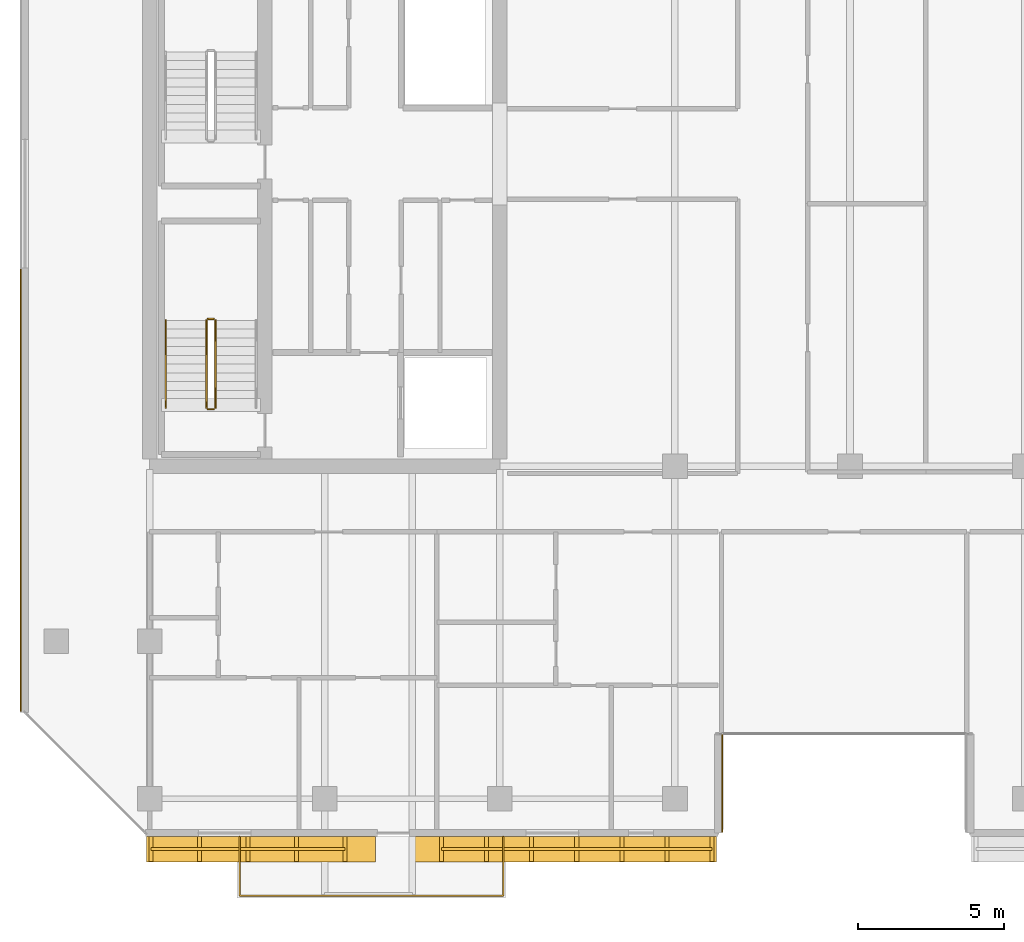
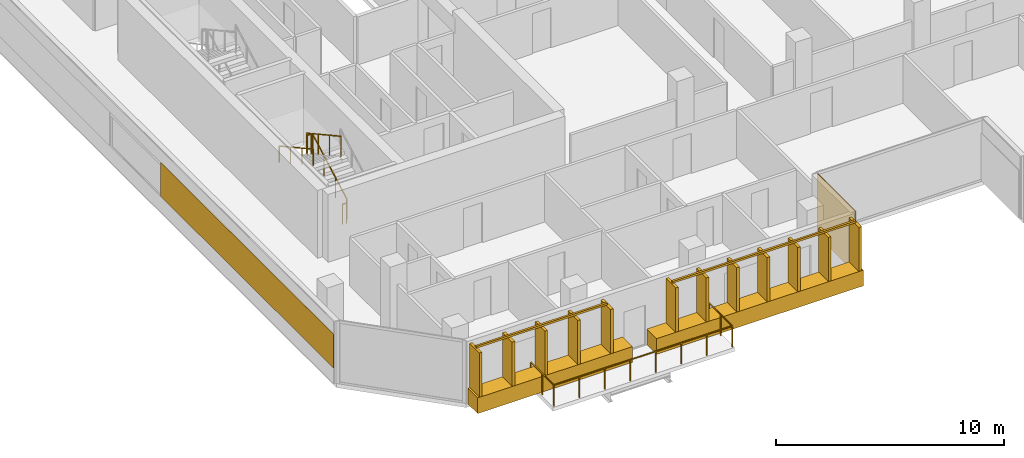
# One storey, part 27 of 31: 8 railings, 4 coverings.
"""IFC4 building model written with IfcOpenShell, lengths in metres."""

from ifc_helpers import new_model, si_unit, direction, frame, origin, origin_2d, place, context, subcontext, project, spatial, rectangle, extrude, material, layer, layer_set, type_object, element, save


model = new_model("IFC4")

# Units and contexts
model_context = context("Model", 3, precision=1e-05, world=origin(), true_north=direction((0.0, 1.0)))
body_context = subcontext(model_context, "Body", "Model", "MODEL_VIEW")
ifc_project = project(units=[si_unit("LENGTHUNIT", "METRE"), si_unit("AREAUNIT", "SQUARE_METRE"), si_unit("VOLUMEUNIT", "CUBIC_METRE"), si_unit("PLANEANGLEUNIT", "RADIAN"), si_unit("MASSUNIT", "GRAM", prefix="KILO")], contexts=[model_context])

# Site, building, storey
site_placement = place(None, origin())
site = spatial("IfcSite", under=ifc_project, at=site_placement, CompositionType="ELEMENT")
building_placement = place(site_placement, origin())
building = spatial("IfcBuilding", under=site, at=building_placement, Name="Tanjung Sevakor Pilgrim Tower", CompositionType="ELEMENT")
storey_placement = place(building_placement, frame((0.0, 0.0, 169.2900390625)))
storey = spatial("IfcBuildingStorey", under=building, at=storey_placement, Name="L47", CompositionType="ELEMENT", Elevation=169.2900390625)

# Coverings
ifc_material_1 = material(Name="Reconstructed Limestone Cladding", Category="masonry")
ifc_layer = layer(ifc_material_1, 0.044921875)
ifc_layer_set = layer_set([ifc_layer], Name="COV-CLAD-LIMESTONE")
covering_type = type_object("IfcCoveringType", Name="COV-CLAD-LIMESTONE", PredefinedType="CLADDING", material=ifc_layer_set)
covering_1_placement = place(storey_placement, frame((27.81591796875, 11.469970703125, 0.009765625), z_axis=(0.0, 0.0, 1.0), x_axis=(1.0, 0.0, 0.0)))
element("IfcCovering", 1, at=covering_1_placement, inside=storey, type_object=covering_type, Name="L47 Warm Limestone Sill Spandrel EW-L47-MAIN-1-1", PredefinedType="CLADDING", context=body_context, shape_type="SweptSolid", body=[
    extrude(rectangle(XDim=7.84814453125, YDim=0.860107421875, at=origin_2d()), origin(), (0.0, 0.0, 1.0), 0.840087890625),
])
covering_2_placement = place(storey_placement, frame((38.197509765625, 11.469970703125, 0.009765625), z_axis=(0.0, 0.0, 1.0), x_axis=(1.0, 0.0, 0.0)))
element("IfcCovering", 2, at=covering_2_placement, inside=storey, type_object=covering_type, Name="L47 Warm Limestone Sill Spandrel EW-L47-MAIN-1-2", PredefinedType="CLADDING", context=body_context, shape_type="SweptSolid", body=[
    extrude(rectangle(XDim=10.47509765625, YDim=0.860107421875, at=origin_2d()), origin(), (0.0, 0.0, 1.0), 0.840087890625),
])
covering_3_placement = place(storey_placement, frame((43.62255859375, 13.72509765625, 0.02001953125), z_axis=(0.0, 0.0, 1.0), x_axis=(0.0, 1.0, 0.0)))
element("IfcCovering", 3, at=covering_3_placement, inside=storey, type_object=covering_type, Name="L47 Warm Limestone Wall Cladding EW-L47-MAIN-2", PredefinedType="CLADDING", context=body_context, shape_type="SweptSolid", body=[
    extrude(rectangle(XDim=3.360107421875, YDim=0.044921875, at=origin_2d()), origin(), (0.0, 0.0, 1.0), 3.31005859375),
])
covering_4_placement = place(storey_placement, frame((19.577392578125, 23.77099609375, 0.849853515625), z_axis=(0.0, 0.0, 1.0), x_axis=(0.0, -1.0, 0.0)))
element("IfcCovering", 4, at=covering_4_placement, inside=storey, type_object=covering_type, Name="L47 Warm Limestone Pier Panel EW-L47-MAIN-15-2", PredefinedType="CLADDING", context=body_context, shape_type="SweptSolid", body=[
    extrude(rectangle(XDim=15.158203125, YDim=0.044921875, at=origin_2d()), origin(), (0.0, 0.0, 1.0), 1.81005859375),
])

# Railings
ifc_material_2 = material(Name="Laminated Glass and Aluminium", Category="aluminium")
railing_type_1 = type_object("IfcRailingType", Name="RL-BAL-BALUST", PredefinedType="BALUSTRADE", material=ifc_material_2)
railing_1_placement = place(storey_placement, frame((27.080078125, 11.89990234375, 0.0)))
element("IfcRailing", 5, at=railing_1_placement, inside=storey, type_object=railing_type_1, Name="L47 Loggia Balustrade MAIN-S1", PredefinedType="BALUSTRADE", context=body_context, shape_type="SweptSolid", body=[
    extrude(rectangle(XDim=0.0479, YDim=0.0479), frame((0.0, 0.0, 1.1259765625), z_axis=(0.0, -1.0, 0.0), x_axis=(1.0, 0.0, 0.0)), (0.0, 0.0, 1.0), 2.02001953125),
    extrude(rectangle(XDim=0.0479, YDim=0.0479), frame((0.0, -2.02001953125, 1.1259765625), z_axis=(1.0, 0.0, 0.0), x_axis=(0.0, 1.0, 0.0)), (0.0, 0.0, 1.0), 9.0400390625),
    extrude(rectangle(XDim=0.0479, YDim=0.0479), frame((9.0400390625, -2.02001953125, 1.1259765625), z_axis=(0.0, 1.0, 0.0), x_axis=(-1.0, 0.0, 0.0)), (0.0, 0.0, 1.0), 2.02001953125),
    extrude(rectangle(XDim=0.042, YDim=0.042), origin(), (0.0, 0.0, 1.0), 1.101806640625),
    extrude(rectangle(XDim=0.042, YDim=0.042), frame((0.0, -1.010009765625, 0.0)), (0.0, 0.0, 1.0), 1.101806640625),
    extrude(rectangle(XDim=0.042, YDim=0.042), frame((0.0, -2.02001953125, 0.0)), (0.0, 0.0, 1.0), 1.101806640625),
    extrude(rectangle(XDim=0.042, YDim=0.042), frame((1.29150390625, -2.02001953125, 0.0)), (0.0, 0.0, 1.0), 1.101806640625),
    extrude(rectangle(XDim=0.042, YDim=0.042), frame((2.582763671875, -2.02001953125, 0.0)), (0.0, 0.0, 1.0), 1.101806640625),
    extrude(rectangle(XDim=0.042, YDim=0.042), frame((3.874267578125, -2.02001953125, 0.0)), (0.0, 0.0, 1.0), 1.101806640625),
    extrude(rectangle(XDim=0.042, YDim=0.042), frame((5.165771484375, -2.02001953125, 0.0)), (0.0, 0.0, 1.0), 1.101806640625),
    extrude(rectangle(XDim=0.042, YDim=0.042), frame((6.457275390625, -2.02001953125, 0.0)), (0.0, 0.0, 1.0), 1.101806640625),
    extrude(rectangle(XDim=0.042, YDim=0.042), frame((7.74853515625, -2.02001953125, 0.0)), (0.0, 0.0, 1.0), 1.101806640625),
    extrude(rectangle(XDim=0.042, YDim=0.042), frame((9.0400390625, -2.02001953125, 0.0)), (0.0, 0.0, 1.0), 1.101806640625),
    extrude(rectangle(XDim=0.042, YDim=0.042), frame((9.0400390625, -1.010009765625, 0.0)), (0.0, 0.0, 1.0), 1.101806640625),
    extrude(rectangle(XDim=0.042, YDim=0.042), frame((9.0400390625, 0.0, 0.0)), (0.0, 0.0, 1.0), 1.101806640625),
])
ifc_material_3 = material(Name="Anodised Bronze Aluminium 6063-T6", Category="aluminium")
railing_type_2 = type_object("IfcRailingType", Name="RL-FIN-SCREEN", PredefinedType="BALUSTRADE", material=ifc_material_3)
railing_2_placement = place(storey_placement, frame((24.0517578125, 11.47509765625, 0.83984375)))
element("IfcRailing", 6, at=railing_2_placement, inside=storey, type_object=railing_type_2, Name="L47 Vertical Bronze-Gold Solar Fin Screen FNSCR-EW-L47-MAIN-1-1", PredefinedType="BALUSTRADE", context=body_context, shape_type="SweptSolid", body=[
    extrude(rectangle(XDim=0.105, YDim=0.105), frame((0.0, 0.0, 2.427490234375), z_axis=(1.0, 0.0, 0.0), x_axis=(0.0, 1.0, 0.0)), (0.0, 0.0, 1.0), 6.648193359375),
    extrude(rectangle(XDim=0.14, YDim=0.85), origin(), (0.0, 0.0, 1.0), 2.375),
    extrude(rectangle(XDim=0.14, YDim=0.85), frame((1.662109375, 0.0, 0.0)), (0.0, 0.0, 1.0), 2.375),
    extrude(rectangle(XDim=0.14, YDim=0.85), frame((3.32421875, 0.0, 0.0)), (0.0, 0.0, 1.0), 2.375),
    extrude(rectangle(XDim=0.14, YDim=0.85), frame((4.986083984375, 0.0, 0.0)), (0.0, 0.0, 1.0), 2.375),
    extrude(rectangle(XDim=0.14, YDim=0.85), frame((6.648193359375, 0.0, 0.0)), (0.0, 0.0, 1.0), 2.375),
])
railing_3_placement = place(storey_placement, frame((34.0, 11.47509765625, 0.83984375)))
element("IfcRailing", 7, at=railing_3_placement, inside=storey, type_object=railing_type_2, Name="L47 Vertical Bronze-Gold Solar Fin Screen FNSCR-EW-L47-MAIN-1-2", PredefinedType="BALUSTRADE", context=body_context, shape_type="SweptSolid", body=[
    extrude(rectangle(XDim=0.105, YDim=0.105), frame((0.0, 0.0, 2.427490234375), z_axis=(1.0, 0.0, 0.0), x_axis=(0.0, 1.0, 0.0)), (0.0, 0.0, 1.0), 9.27490234375),
    extrude(rectangle(XDim=0.14, YDim=0.85), origin(), (0.0, 0.0, 1.0), 2.375),
    extrude(rectangle(XDim=0.14, YDim=0.85), frame((1.5458984375, 0.0, 0.0)), (0.0, 0.0, 1.0), 2.375),
    extrude(rectangle(XDim=0.14, YDim=0.85), frame((3.091552734375, 0.0, 0.0)), (0.0, 0.0, 1.0), 2.375),
    extrude(rectangle(XDim=0.14, YDim=0.85), frame((4.637451171875, 0.0, 0.0)), (0.0, 0.0, 1.0), 2.375),
    extrude(rectangle(XDim=0.14, YDim=0.85), frame((6.183349609375, 0.0, 0.0)), (0.0, 0.0, 1.0), 2.375),
    extrude(rectangle(XDim=0.14, YDim=0.85), frame((7.72900390625, 0.0, 0.0)), (0.0, 0.0, 1.0), 2.375),
    extrude(rectangle(XDim=0.14, YDim=0.85), frame((9.27490234375, 0.0, 0.0)), (0.0, 0.0, 1.0), 2.375),
])
ifc_material_4 = material(Name="Steel S355J2", Category="steel")
railing_type_3 = type_object("IfcRailingType", Name="RL-STAIR-GUARD", PredefinedType="GUARDRAIL", material=ifc_material_4)
railing_4_placement = place(storey_placement, frame((26.25, 26.60009765625, 0.1650390625)))
element("IfcRailing", 8, at=railing_4_placement, inside=storey, type_object=railing_type_3, Name="L47 TS-W1 stair guard 1", PredefinedType="GUARDRAIL", context=body_context, shape_type="SweptSolid", body=[
    extrude(rectangle(XDim=0.0479, YDim=0.0479), frame((0.0, 0.0, 1.076171875), z_axis=(0.0, 0.876227952683, 0.48189685093), x_axis=(-1.0, 0.0, 0.0)), (0.0, 0.0, 1.0), 3.423828125),
    extrude(rectangle(XDim=0.042, YDim=0.042), origin(), (0.0, 0.0, 1.0), 1.052001953125),
    extrude(rectangle(XDim=0.042, YDim=0.042), frame((0.0, 1.0, 0.550048828125)), (0.0, 0.0, 1.0), 1.052001953125),
    extrude(rectangle(XDim=0.042, YDim=0.042), frame((0.0, 2.0, 1.099853515625)), (0.0, 0.0, 1.0), 1.052001953125),
    extrude(rectangle(XDim=0.042, YDim=0.042), frame((0.0, 3.0, 1.64990234375)), (0.0, 0.0, 1.0), 1.052001953125),
])
railing_5_placement = place(storey_placement, frame((26.199951171875, 29.64990234375, 1.81494140625)))
element("IfcRailing", 9, at=railing_5_placement, inside=storey, type_object=railing_type_3, Name="L47 TS-W1 stair guard 2", PredefinedType="GUARDRAIL", context=body_context, shape_type="SweptSolid", body=[
    extrude(rectangle(XDim=0.0479, YDim=0.0479), frame((0.0, 0.0, 1.076171875), z_axis=(-1.0, 0.0, 0.0), x_axis=(0.0, -1.0, 0.0)), (0.0, 0.0, 1.0), 0.199951171875),
    extrude(rectangle(XDim=0.042, YDim=0.042), origin(), (0.0, 0.0, 1.0), 1.052001953125),
    extrude(rectangle(XDim=0.042, YDim=0.042), frame((-0.199951171875, 0.0, 0.0)), (0.0, 0.0, 1.0), 1.052001953125),
])
railing_6_placement = place(storey_placement, frame((25.949951171875, 29.60009765625, 1.97998046875)))
element("IfcRailing", 10, at=railing_6_placement, inside=storey, type_object=railing_type_3, Name="L47 TS-W1 stair guard 3", PredefinedType="GUARDRAIL", context=body_context, shape_type="SweptSolid", body=[
    extrude(rectangle(XDim=0.0479, YDim=0.0479), frame((0.0, 0.0, 1.076171875), z_axis=(0.0, -0.876227952683, 0.48189685093), x_axis=(1.0, 0.0, 0.0)), (0.0, 0.0, 1.0), 3.423828125),
    extrude(rectangle(XDim=0.042, YDim=0.042), origin(), (0.0, 0.0, 1.0), 1.052001953125),
    extrude(rectangle(XDim=0.042, YDim=0.042), frame((0.0, -1.0, 0.550048828125)), (0.0, 0.0, 1.0), 1.052001953125),
    extrude(rectangle(XDim=0.042, YDim=0.042), frame((0.0, -2.0, 1.099853515625)), (0.0, 0.0, 1.0), 1.052001953125),
    extrude(rectangle(XDim=0.042, YDim=0.042), frame((0.0, -3.0, 1.64990234375)), (0.0, 0.0, 1.0), 1.052001953125),
])
railing_7_placement = place(storey_placement, frame((26.199951171875, 26.550048828125, 0.0)))
element("IfcRailing", 11, at=railing_7_placement, inside=storey, type_object=railing_type_3, Name="L47 TS-W1 stair guard 4", PredefinedType="GUARDRAIL", context=body_context, shape_type="SweptSolid", body=[
    extrude(rectangle(XDim=0.0479, YDim=0.0479), frame((0.0, 0.0, 1.076171875), z_axis=(-1.0, 0.0, 0.0), x_axis=(0.0, -1.0, 0.0)), (0.0, 0.0, 1.0), 0.199951171875),
    extrude(rectangle(XDim=0.042, YDim=0.042), origin(), (0.0, 0.0, 1.0), 1.052001953125),
    extrude(rectangle(XDim=0.042, YDim=0.042), frame((-0.199951171875, 0.0, 0.0)), (0.0, 0.0, 1.0), 1.052001953125),
])
ifc_material_5 = material(Name="Steel S355J2", Category="steel")
railing_type_4 = type_object("IfcRailingType", Name="RL-STAIR-HAND", PredefinedType="HANDRAIL", material=ifc_material_5)
railing_8_placement = place(storey_placement, frame((24.550048828125, 29.60009765625, 1.97998046875)))
element("IfcRailing", 12, at=railing_8_placement, inside=storey, type_object=railing_type_4, Name="L47 TS-W1 stair handrail 2", PredefinedType="HANDRAIL", context=body_context, shape_type="SweptSolid", body=[
    extrude(rectangle(XDim=0.0479, YDim=0.0479), frame((0.0, 0.0, 0.8759765625), z_axis=(0.0, -0.876227952683, 0.48189685093), x_axis=(1.0, 0.0, 0.0)), (0.0, 0.0, 1.0), 3.423828125),
    extrude(rectangle(XDim=0.042, YDim=0.042), origin(), (0.0, 0.0, 1.0), 0.851806640625),
    extrude(rectangle(XDim=0.042, YDim=0.042), frame((0.0, -1.0, 0.550048828125)), (0.0, 0.0, 1.0), 0.851806640625),
    extrude(rectangle(XDim=0.042, YDim=0.042), frame((0.0, -2.0, 1.099853515625)), (0.0, 0.0, 1.0), 0.851806640625),
    extrude(rectangle(XDim=0.042, YDim=0.042), frame((0.0, -3.0, 1.64990234375)), (0.0, 0.0, 1.0), 0.851806640625),
])

save(model, "model.ifc")
